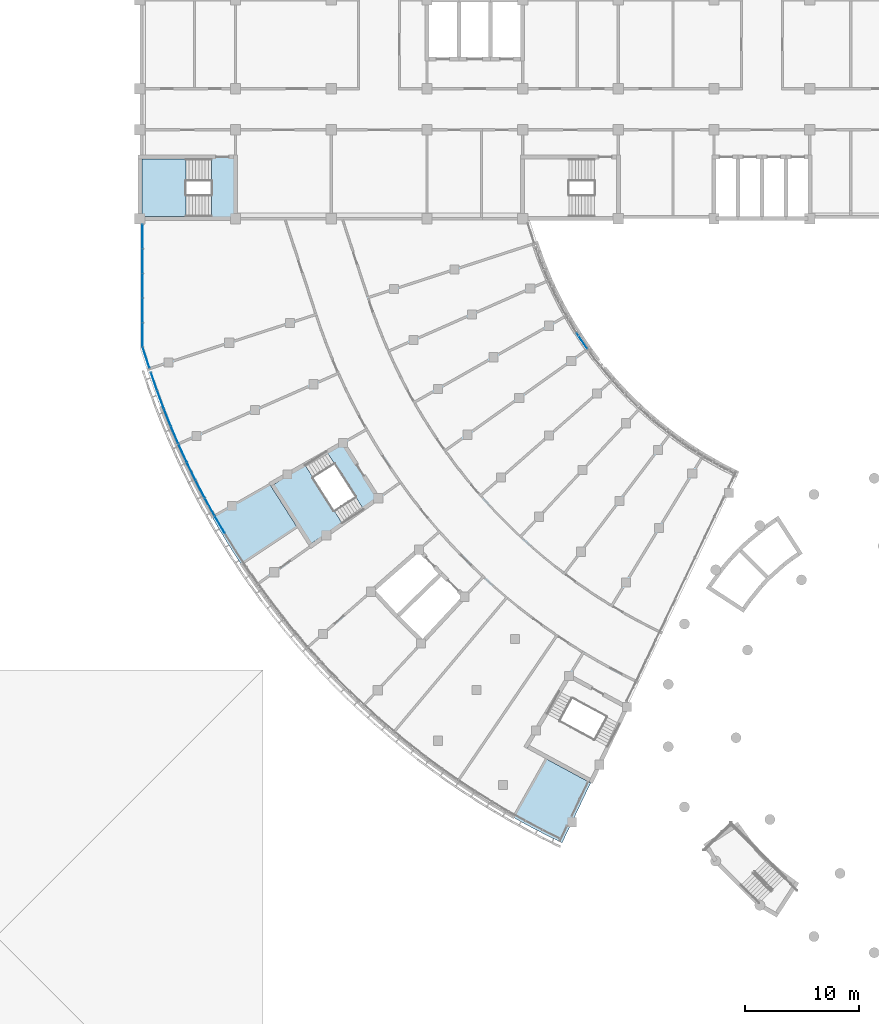
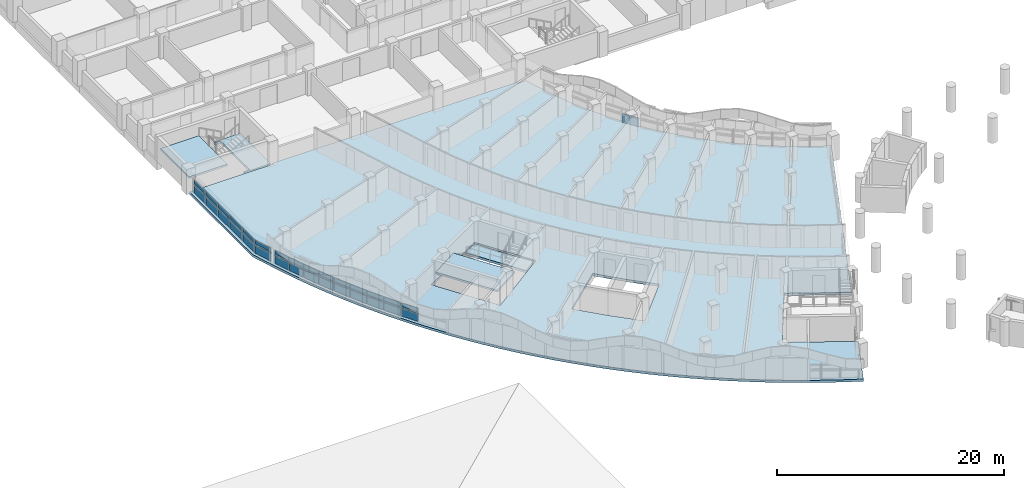
# One storey, part 30 of 89: 47 plates, 5 slabs, 8 elements without a shape of their own.
"""IFC4 building model written with IfcOpenShell, lengths in metres."""

from ifc_helpers import new_model, si_unit, direction, frame, origin, origin_2d, place, context, subcontext, project, spatial, polyline, rectangle, outline, extrude, material, layer, layer_set, type_object, element, aggregate, save


model = new_model("IFC4")

# Units and contexts
model_context = context("Model", 3, precision=1e-05, world=origin(), true_north=direction((0.0, 1.0)))
body_context = subcontext(model_context, "Body", "Model", "MODEL_VIEW")
ifc_project = project(units=[si_unit("LENGTHUNIT", "METRE"), si_unit("AREAUNIT", "SQUARE_METRE"), si_unit("VOLUMEUNIT", "CUBIC_METRE"), si_unit("PLANEANGLEUNIT", "RADIAN"), si_unit("MASSUNIT", "GRAM", prefix="KILO")], contexts=[model_context])

# Site, building, storey
site_placement = place(None, origin())
site = spatial("IfcSite", under=ifc_project, at=site_placement, CompositionType="ELEMENT")
building_placement = place(site_placement, origin())
building = spatial("IfcBuilding", under=site, at=building_placement, Name="Bougainvillea Quay General Hospital", CompositionType="ELEMENT")
storey_placement = place(building_placement, frame((0.0, 0.0, 9.89990234375)))
storey = spatial("IfcBuildingStorey", under=building, at=storey_placement, Name="L01M", CompositionType="ELEMENT", Elevation=9.89990234375)

# Curtain wall, plates
ifc_material_1 = material(Name="Aluminium curtain wall system, powder-coated glazed", Category="aluminium")
curtain_wall_type_1 = type_object("IfcCurtainWallType", Name="Unitised curtain wall CW-2167", PredefinedType="NOTDEFINED", material=ifc_material_1)
curtain_wall_1_placement = place(storey_placement, origin())
curtain_wall_1 = element("IfcCurtainWall", 1, at=curtain_wall_1_placement, inside=storey, type_object=curtain_wall_type_1, Name="CW-AE 00", PredefinedType="NOTDEFINED")
ifc_material_2 = material(Name="Insulated aluminium spandrel panel, white", Category="aluminium")
ifc_layer_1 = layer(ifc_material_2, 0.028076171875)
ifc_layer_set_1 = layer_set([ifc_layer_1], Name="Insulated aluminium spandrel panel, white")
plate_type_1 = type_object("IfcPlateType", Name="Insulated spandrel panel white 28", PredefinedType="CURTAIN_PANEL", material=ifc_layer_set_1)
plate_1_placement = place(storey_placement, frame((42.25, 116.031494140625, 0.06005859375), z_axis=(0.0, 0.0, 1.0), x_axis=(0.0, -1.0, 0.0)))
plate_1 = element("IfcPlate", 2, at=plate_1_placement, type_object=plate_type_1, Name="CW-AE spandrel panel 1.1", PredefinedType="CURTAIN_PANEL", context=body_context, shape_type="SweptSolid", body=[
    extrude(rectangle(XDim=2.076904296875, YDim=0.028076171875, at=origin_2d()), origin(), (0.0, 0.0, 1.0), 0.81005859375),
])
plate_2_placement = place(storey_placement, frame((42.25, 116.031494140625, 1.080078125), z_axis=(0.0, 0.0, 1.0), x_axis=(0.0, -1.0, 0.0)))
plate_2 = element("IfcPlate", 3, at=plate_2_placement, type_object=plate_type_1, Name="CW-AE spandrel panel 1.3", PredefinedType="CURTAIN_PANEL", context=body_context, shape_type="SweptSolid", body=[
    extrude(rectangle(XDim=2.076904296875, YDim=0.028076171875, at=origin_2d()), origin(), (0.0, 0.0, 1.0), 0.409912109375),
])
plate_3_placement = place(storey_placement, frame((42.25, 113.8798828125, 0.06005859375), z_axis=(0.0, 0.0, 1.0), x_axis=(0.0, -1.0, 0.0)))
plate_3 = element("IfcPlate", 4, at=plate_3_placement, type_object=plate_type_1, Name="CW-AE spandrel panel 2.1", PredefinedType="CURTAIN_PANEL", context=body_context, shape_type="SweptSolid", body=[
    extrude(rectangle(XDim=2.106689453125, YDim=0.028076171875, at=origin_2d()), origin(), (0.0, 0.0, 1.0), 0.81005859375),
])
plate_4_placement = place(storey_placement, frame((42.25, 113.8798828125, 1.080078125), z_axis=(0.0, 0.0, 1.0), x_axis=(0.0, -1.0, 0.0)))
plate_4 = element("IfcPlate", 5, at=plate_4_placement, type_object=plate_type_1, Name="CW-AE spandrel panel 2.3", PredefinedType="CURTAIN_PANEL", context=body_context, shape_type="SweptSolid", body=[
    extrude(rectangle(XDim=2.106689453125, YDim=0.028076171875, at=origin_2d()), origin(), (0.0, 0.0, 1.0), 0.409912109375),
])
plate_5_placement = place(storey_placement, frame((42.25, 111.712890625, 0.06005859375), z_axis=(0.0, 0.0, 1.0), x_axis=(0.0, -1.0, 0.0)))
plate_5 = element("IfcPlate", 6, at=plate_5_placement, type_object=plate_type_1, Name="CW-AE spandrel panel 3.1", PredefinedType="CURTAIN_PANEL", context=body_context, shape_type="SweptSolid", body=[
    extrude(rectangle(XDim=2.106689453125, YDim=0.028076171875, at=origin_2d()), origin(), (0.0, 0.0, 1.0), 0.81005859375),
])
plate_6_placement = place(storey_placement, frame((42.25, 111.712890625, 1.080078125), z_axis=(0.0, 0.0, 1.0), x_axis=(0.0, -1.0, 0.0)))
plate_6 = element("IfcPlate", 7, at=plate_6_placement, type_object=plate_type_1, Name="CW-AE spandrel panel 3.3", PredefinedType="CURTAIN_PANEL", context=body_context, shape_type="SweptSolid", body=[
    extrude(rectangle(XDim=2.106689453125, YDim=0.028076171875, at=origin_2d()), origin(), (0.0, 0.0, 1.0), 0.409912109375),
])
plate_7_placement = place(storey_placement, frame((42.25, 109.546142578125, 0.06005859375), z_axis=(0.0, 0.0, 1.0), x_axis=(0.0, -1.0, 0.0)))
plate_7 = element("IfcPlate", 8, at=plate_7_placement, type_object=plate_type_1, Name="CW-AE spandrel panel 4.1", PredefinedType="CURTAIN_PANEL", context=body_context, shape_type="SweptSolid", body=[
    extrude(rectangle(XDim=2.106689453125, YDim=0.028076171875, at=origin_2d()), origin(), (0.0, 0.0, 1.0), 0.81005859375),
])
plate_8_placement = place(storey_placement, frame((42.25, 109.546142578125, 1.080078125), z_axis=(0.0, 0.0, 1.0), x_axis=(0.0, -1.0, 0.0)))
plate_8 = element("IfcPlate", 9, at=plate_8_placement, type_object=plate_type_1, Name="CW-AE spandrel panel 4.3", PredefinedType="CURTAIN_PANEL", context=body_context, shape_type="SweptSolid", body=[
    extrude(rectangle(XDim=2.106689453125, YDim=0.028076171875, at=origin_2d()), origin(), (0.0, 0.0, 1.0), 0.409912109375),
])
plate_9_placement = place(storey_placement, frame((42.25, 107.394287109375, 0.06005859375), z_axis=(0.0, 0.0, 1.0), x_axis=(0.0, -1.0, 0.0)))
plate_9 = element("IfcPlate", 10, at=plate_9_placement, type_object=plate_type_1, Name="CW-AE spandrel panel 5.1", PredefinedType="CURTAIN_PANEL", context=body_context, shape_type="SweptSolid", body=[
    extrude(rectangle(XDim=2.076904296875, YDim=0.028076171875, at=origin_2d()), origin(), (0.0, 0.0, 1.0), 0.81005859375),
])
plate_10_placement = place(storey_placement, frame((42.25, 107.394287109375, 1.080078125), z_axis=(0.0, 0.0, 1.0), x_axis=(0.0, -1.0, 0.0)))
plate_10 = element("IfcPlate", 11, at=plate_10_placement, type_object=plate_type_1, Name="CW-AE spandrel panel 5.3", PredefinedType="CURTAIN_PANEL", context=body_context, shape_type="SweptSolid", body=[
    extrude(rectangle(XDim=2.076904296875, YDim=0.028076171875, at=origin_2d()), origin(), (0.0, 0.0, 1.0), 0.409912109375),
])

curtain_wall_type_2 = type_object("IfcCurtainWallType", Name="Unitised curtain wall CW-2027", PredefinedType="NOTDEFINED", material=ifc_material_1)
curtain_wall_2_placement = place(storey_placement, origin())
curtain_wall_2 = element("IfcCurtainWall", 12, at=curtain_wall_2_placement, inside=storey, type_object=curtain_wall_type_2, Name="CW-AE 00", PredefinedType="NOTDEFINED")
plate_11_placement = place(storey_placement, frame((42.55078125, 105.40966796875, 0.06005859375), z_axis=(0.0, 0.0, 1.0), x_axis=(0.30896330961, -0.951073957858, 0.0)))
plate_11 = element("IfcPlate", 13, at=plate_11_placement, type_object=plate_type_1, Name="CW-AE spandrel panel 1.1", PredefinedType="CURTAIN_PANEL", context=body_context, shape_type="SweptSolid", body=[
    extrude(rectangle(XDim=1.90625, YDim=0.028076171875, at=origin_2d()), origin(), (0.0, 0.0, 1.0), 0.81005859375),
])
plate_12_placement = place(storey_placement, frame((42.55078125, 105.40966796875, 1.080078125), z_axis=(0.0, 0.0, 1.0), x_axis=(0.30896330961, -0.951073957858, 0.0)))
plate_12 = element("IfcPlate", 14, at=plate_12_placement, type_object=plate_type_1, Name="CW-AE spandrel panel 1.3", PredefinedType="CURTAIN_PANEL", context=body_context, shape_type="SweptSolid", body=[
    extrude(rectangle(XDim=1.90625, YDim=0.028076171875, at=origin_2d()), origin(), (0.0, 0.0, 1.0), 0.409912109375),
])

curtain_wall_type_3 = type_object("IfcCurtainWallType", Name="Unitised curtain wall CW-2100", PredefinedType="NOTDEFINED", material=ifc_material_1)
curtain_wall_3_placement = place(storey_placement, origin())
curtain_wall_3 = element("IfcCurtainWall", 15, at=curtain_wall_3_placement, inside=storey, type_object=curtain_wall_type_3, Name="CW-W06 a01b5", PredefinedType="NOTDEFINED")
plate_13_placement = place(storey_placement, frame((49.024169921875, 90.741943359375, 0.06005859375), z_axis=(0.0, 0.0, 1.0), x_axis=(-0.505348661129, 0.862915251166, 0.0)))
plate_13 = element("IfcPlate", 16, at=plate_13_placement, type_object=plate_type_1, Name="CW-W06 spandrel panel 4.1", PredefinedType="CURTAIN_PANEL", context=body_context, shape_type="SweptSolid", body=[
    extrude(rectangle(XDim=1.6787109375, YDim=0.028076171875, at=origin_2d()), origin(), (0.0, 0.0, 1.0), 0.81005859375),
])
plate_14_placement = place(storey_placement, frame((49.024169921875, 90.741943359375, 1.080078125), z_axis=(0.0, 0.0, 1.0), x_axis=(-0.505348661129, 0.862915251166, 0.0)))
plate_14 = element("IfcPlate", 17, at=plate_14_placement, type_object=plate_type_1, Name="CW-W06 spandrel panel 4.3", PredefinedType="CURTAIN_PANEL", context=body_context, shape_type="SweptSolid", body=[
    extrude(rectangle(XDim=1.6787109375, YDim=0.028076171875, at=origin_2d()), origin(), (0.0, 0.0, 1.0), 0.409912109375),
])

curtain_wall_4_placement = place(storey_placement, origin())
curtain_wall_4 = element("IfcCurtainWall", 18, at=curtain_wall_4_placement, inside=storey, type_object=curtain_wall_type_3, Name="CW-W07 a01b6", PredefinedType="NOTDEFINED")
plate_15_placement = place(storey_placement, frame((48.135009765625, 92.305419921875, 0.06005859375), z_axis=(0.0, 0.0, 1.0), x_axis=(-0.483305302697, 0.875451874397, 0.0)))
plate_15 = element("IfcPlate", 19, at=plate_15_placement, type_object=plate_type_1, Name="CW-W07 spandrel panel 1.1", PredefinedType="CURTAIN_PANEL", context=body_context, shape_type="SweptSolid", body=[
    extrude(rectangle(XDim=1.6787109375, YDim=0.028076171875, at=origin_2d()), origin(), (0.0, 0.0, 1.0), 0.81005859375),
])
plate_16_placement = place(storey_placement, frame((48.135009765625, 92.305419921875, 1.080078125), z_axis=(0.0, 0.0, 1.0), x_axis=(-0.483305302697, 0.875451874397, 0.0)))
plate_16 = element("IfcPlate", 20, at=plate_16_placement, type_object=plate_type_1, Name="CW-W07 spandrel panel 1.3", PredefinedType="CURTAIN_PANEL", context=body_context, shape_type="SweptSolid", body=[
    extrude(rectangle(XDim=1.6787109375, YDim=0.028076171875, at=origin_2d()), origin(), (0.0, 0.0, 1.0), 0.409912109375),
])
plate_17_placement = place(storey_placement, frame((47.30712890625, 93.851318359375, 0.06005859375), z_axis=(0.0, 0.0, 1.0), x_axis=(-0.460951141948, 0.887425515036, 0.0)))
plate_17 = element("IfcPlate", 21, at=plate_17_placement, type_object=plate_type_1, Name="CW-W07 spandrel panel 2.1", PredefinedType="CURTAIN_PANEL", context=body_context, shape_type="SweptSolid", body=[
    extrude(rectangle(XDim=1.708740234375, YDim=0.028076171875, at=origin_2d()), origin(), (0.0, 0.0, 1.0), 0.81005859375),
])
plate_18_placement = place(storey_placement, frame((47.30712890625, 93.851318359375, 1.080078125), z_axis=(0.0, 0.0, 1.0), x_axis=(-0.460951141948, 0.887425515036, 0.0)))
plate_18 = element("IfcPlate", 22, at=plate_18_placement, type_object=plate_type_1, Name="CW-W07 spandrel panel 2.3", PredefinedType="CURTAIN_PANEL", context=body_context, shape_type="SweptSolid", body=[
    extrude(rectangle(XDim=1.708740234375, YDim=0.028076171875, at=origin_2d()), origin(), (0.0, 0.0, 1.0), 0.409912109375),
])
plate_19_placement = place(storey_placement, frame((46.51171875, 95.430908203125, 0.06005859375), z_axis=(0.0, 0.0, 1.0), x_axis=(-0.438300554318, 0.898828473116, 0.0)))
plate_19 = element("IfcPlate", 23, at=plate_19_placement, type_object=plate_type_1, Name="CW-W07 spandrel panel 3.1", PredefinedType="CURTAIN_PANEL", context=body_context, shape_type="SweptSolid", body=[
    extrude(rectangle(XDim=1.708740234375, YDim=0.028076171875, at=origin_2d()), origin(), (0.0, 0.0, 1.0), 0.81005859375),
])
plate_20_placement = place(storey_placement, frame((46.51171875, 95.430908203125, 1.080078125), z_axis=(0.0, 0.0, 1.0), x_axis=(-0.438300554318, 0.898828473116, 0.0)))
plate_20 = element("IfcPlate", 24, at=plate_20_placement, type_object=plate_type_1, Name="CW-W07 spandrel panel 3.3", PredefinedType="CURTAIN_PANEL", context=body_context, shape_type="SweptSolid", body=[
    extrude(rectangle(XDim=1.708740234375, YDim=0.028076171875, at=origin_2d()), origin(), (0.0, 0.0, 1.0), 0.409912109375),
])
plate_21_placement = place(storey_placement, frame((45.762939453125, 97.016845703125, 0.06005859375), z_axis=(0.0, 0.0, 1.0), x_axis=(-0.415368105869, 0.909653415663, 0.0)))
plate_21 = element("IfcPlate", 25, at=plate_21_placement, type_object=plate_type_1, Name="CW-W07 spandrel panel 4.1", PredefinedType="CURTAIN_PANEL", context=body_context, shape_type="SweptSolid", body=[
    extrude(rectangle(XDim=1.6787109375, YDim=0.028076171875, at=origin_2d()), origin(), (0.0, 0.0, 1.0), 0.81005859375),
])
plate_22_placement = place(storey_placement, frame((45.762939453125, 97.016845703125, 1.080078125), z_axis=(0.0, 0.0, 1.0), x_axis=(-0.415368105869, 0.909653415663, 0.0)))
plate_22 = element("IfcPlate", 26, at=plate_22_placement, type_object=plate_type_1, Name="CW-W07 spandrel panel 4.3", PredefinedType="CURTAIN_PANEL", context=body_context, shape_type="SweptSolid", body=[
    extrude(rectangle(XDim=1.6787109375, YDim=0.028076171875, at=origin_2d()), origin(), (0.0, 0.0, 1.0), 0.409912109375),
])

curtain_wall_5_placement = place(storey_placement, origin())
curtain_wall_5 = element("IfcCurtainWall", 27, at=curtain_wall_5_placement, inside=storey, type_object=curtain_wall_type_3, Name="CW-W08 a01b7", PredefinedType="NOTDEFINED")
plate_23_placement = place(storey_placement, frame((45.052734375, 98.623779296875, 0.06005859375), z_axis=(0.0, 0.0, 1.0), x_axis=(-0.392718634519, 0.919658672607, 0.0)))
plate_23 = element("IfcPlate", 28, at=plate_23_placement, type_object=plate_type_1, Name="CW-W08 spandrel panel 1.1", PredefinedType="CURTAIN_PANEL", context=body_context, shape_type="SweptSolid", body=[
    extrude(rectangle(XDim=1.595458984375, YDim=0.028076171875, at=origin_2d()), origin(), (0.0, 0.0, 1.0), 0.81005859375),
])
plate_24_placement = place(storey_placement, frame((45.052734375, 98.623779296875, 1.080078125), z_axis=(0.0, 0.0, 1.0), x_axis=(-0.392718634519, 0.919658672607, 0.0)))
plate_24 = element("IfcPlate", 29, at=plate_24_placement, type_object=plate_type_1, Name="CW-W08 spandrel panel 1.3", PredefinedType="CURTAIN_PANEL", context=body_context, shape_type="SweptSolid", body=[
    extrude(rectangle(XDim=1.595458984375, YDim=0.028076171875, at=origin_2d()), origin(), (0.0, 0.0, 1.0), 0.409912109375),
])
plate_25_placement = place(storey_placement, frame((44.41552734375, 100.167724609375, 0.06005859375), z_axis=(0.0, 0.0, 1.0), x_axis=(-0.370383986757, 0.928878733934, 0.0)))
plate_25 = element("IfcPlate", 30, at=plate_25_placement, type_object=plate_type_1, Name="CW-W08 spandrel panel 2.1", PredefinedType="CURTAIN_PANEL", context=body_context, shape_type="SweptSolid", body=[
    extrude(rectangle(XDim=1.625244140625, YDim=0.028076171875, at=origin_2d()), origin(), (0.0, 0.0, 1.0), 0.81005859375),
])
plate_26_placement = place(storey_placement, frame((44.41552734375, 100.167724609375, 1.080078125), z_axis=(0.0, 0.0, 1.0), x_axis=(-0.370383986757, 0.928878733934, 0.0)))
plate_26 = element("IfcPlate", 31, at=plate_26_placement, type_object=plate_type_1, Name="CW-W08 spandrel panel 2.3", PredefinedType="CURTAIN_PANEL", context=body_context, shape_type="SweptSolid", body=[
    extrude(rectangle(XDim=1.625244140625, YDim=0.028076171875, at=origin_2d()), origin(), (0.0, 0.0, 1.0), 0.409912109375),
])
plate_27_placement = place(storey_placement, frame((43.810302734375, 101.740478515625, 0.06005859375), z_axis=(0.0, 0.0, 1.0), x_axis=(-0.347833091778, 0.937556473107, 0.0)))
plate_27 = element("IfcPlate", 32, at=plate_27_placement, type_object=plate_type_1, Name="CW-W08 spandrel panel 3.1", PredefinedType="CURTAIN_PANEL", context=body_context, shape_type="SweptSolid", body=[
    extrude(rectangle(XDim=1.625244140625, YDim=0.028076171875, at=origin_2d()), origin(), (0.0, 0.0, 1.0), 0.81005859375),
])
plate_28_placement = place(storey_placement, frame((43.810302734375, 101.740478515625, 1.080078125), z_axis=(0.0, 0.0, 1.0), x_axis=(-0.347833091778, 0.937556473107, 0.0)))
plate_28 = element("IfcPlate", 33, at=plate_28_placement, type_object=plate_type_1, Name="CW-W08 spandrel panel 3.3", PredefinedType="CURTAIN_PANEL", context=body_context, shape_type="SweptSolid", body=[
    extrude(rectangle(XDim=1.625244140625, YDim=0.028076171875, at=origin_2d()), origin(), (0.0, 0.0, 1.0), 0.409912109375),
])
plate_29_placement = place(storey_placement, frame((43.248046875, 103.313232421875, 0.06005859375), z_axis=(0.0, 0.0, 1.0), x_axis=(-0.325079115849, 0.945686823657, 0.0)))
plate_29 = element("IfcPlate", 34, at=plate_29_placement, type_object=plate_type_1, Name="CW-W08 spandrel panel 4.1", PredefinedType="CURTAIN_PANEL", context=body_context, shape_type="SweptSolid", body=[
    extrude(rectangle(XDim=1.595458984375, YDim=0.028076171875, at=origin_2d()), origin(), (0.0, 0.0, 1.0), 0.81005859375),
])
plate_30_placement = place(storey_placement, frame((43.248046875, 103.313232421875, 1.080078125), z_axis=(0.0, 0.0, 1.0), x_axis=(-0.325079115849, 0.945686823657, 0.0)))
plate_30 = element("IfcPlate", 35, at=plate_30_placement, type_object=plate_type_1, Name="CW-W08 spandrel panel 4.3", PredefinedType="CURTAIN_PANEL", context=body_context, shape_type="SweptSolid", body=[
    extrude(rectangle(XDim=1.595458984375, YDim=0.028076171875, at=origin_2d()), origin(), (0.0, 0.0, 1.0), 0.409912109375),
])

# Curtain wall, plate
curtain_wall_6_placement = place(storey_placement, origin())
curtain_wall_6 = element("IfcCurtainWall", 36, at=curtain_wall_6_placement, inside=storey, type_object=curtain_wall_type_3, Name="CW-W06 a03b5", PredefinedType="NOTDEFINED")
plate_31_placement = place(storey_placement, frame((80.802001953125, 106.872802734375, 0.06005859375), z_axis=(0.0, 0.0, 1.0), x_axis=(-0.55900478642, 0.82916442806, 0.0)))
plate_31 = element("IfcPlate", 37, at=plate_31_placement, type_object=plate_type_1, Name="CW-W06 spandrel panel 1.1", PredefinedType="CURTAIN_PANEL", context=body_context, shape_type="SweptSolid", body=[
    extrude(rectangle(XDim=1.64697265625, YDim=0.028076171875, at=origin_2d()), origin(), (0.0, 0.0, 1.0), 0.81005859375),
])

# Plate
ifc_material_3 = material(Name="Low-e laminated glass, solar control", Category="glass")
ifc_layer_2 = layer(ifc_material_3, 0.028076171875)
ifc_layer_set_2 = layer_set([ifc_layer_2], Name="Low-e laminated glass, solar control")
plate_type_2 = type_object("IfcPlateType", Name="Low-e laminated vision glass 28", PredefinedType="CURTAIN_PANEL", material=ifc_layer_set_2)
plate_32_placement = place(storey_placement, frame((42.25, 116.031494140625, 0.93017578125), z_axis=(0.0, 0.0, 1.0), x_axis=(0.0, -1.0, 0.0)))
plate_32 = element("IfcPlate", 38, at=plate_32_placement, type_object=plate_type_2, Name="CW-AE vision glass panel 1.2", PredefinedType="CURTAIN_PANEL", context=body_context, shape_type="SweptSolid", body=[
    extrude(rectangle(XDim=2.076904296875, YDim=0.028076171875, at=origin_2d()), origin(), (0.0, 0.0, 1.0), 0.090087890625),
])

plate_33_placement = place(storey_placement, frame((42.25, 113.8798828125, 0.93017578125), z_axis=(0.0, 0.0, 1.0), x_axis=(0.0, -1.0, 0.0)))
plate_33 = element("IfcPlate", 39, at=plate_33_placement, type_object=plate_type_2, Name="CW-AE vision glass panel 2.2", PredefinedType="CURTAIN_PANEL", context=body_context, shape_type="SweptSolid", body=[
    extrude(rectangle(XDim=2.106689453125, YDim=0.028076171875, at=origin_2d()), origin(), (0.0, 0.0, 1.0), 0.090087890625),
])

plate_34_placement = place(storey_placement, frame((42.25, 111.712890625, 0.93017578125), z_axis=(0.0, 0.0, 1.0), x_axis=(0.0, -1.0, 0.0)))
plate_34 = element("IfcPlate", 40, at=plate_34_placement, type_object=plate_type_2, Name="CW-AE vision glass panel 3.2", PredefinedType="CURTAIN_PANEL", context=body_context, shape_type="SweptSolid", body=[
    extrude(rectangle(XDim=2.106689453125, YDim=0.028076171875, at=origin_2d()), origin(), (0.0, 0.0, 1.0), 0.090087890625),
])

plate_35_placement = place(storey_placement, frame((42.25, 109.546142578125, 0.93017578125), z_axis=(0.0, 0.0, 1.0), x_axis=(0.0, -1.0, 0.0)))
plate_35 = element("IfcPlate", 41, at=plate_35_placement, type_object=plate_type_2, Name="CW-AE vision glass panel 4.2", PredefinedType="CURTAIN_PANEL", context=body_context, shape_type="SweptSolid", body=[
    extrude(rectangle(XDim=2.106689453125, YDim=0.028076171875, at=origin_2d()), origin(), (0.0, 0.0, 1.0), 0.090087890625),
])

plate_36_placement = place(storey_placement, frame((42.25, 107.394287109375, 0.93017578125), z_axis=(0.0, 0.0, 1.0), x_axis=(0.0, -1.0, 0.0)))
plate_36 = element("IfcPlate", 42, at=plate_36_placement, type_object=plate_type_2, Name="CW-AE vision glass panel 5.2", PredefinedType="CURTAIN_PANEL", context=body_context, shape_type="SweptSolid", body=[
    extrude(rectangle(XDim=2.076904296875, YDim=0.028076171875, at=origin_2d()), origin(), (0.0, 0.0, 1.0), 0.090087890625),
])

aggregate(curtain_wall_1, [plate_1, plate_32, plate_2, plate_3, plate_33, plate_4, plate_5, plate_34, plate_6, plate_7, plate_35, plate_8, plate_9, plate_36, plate_10])

plate_37_placement = place(storey_placement, frame((42.55078125, 105.40966796875, 0.93017578125), z_axis=(0.0, 0.0, 1.0), x_axis=(0.30896330961, -0.951073957858, 0.0)))
plate_37 = element("IfcPlate", 43, at=plate_37_placement, type_object=plate_type_2, Name="CW-AE vision glass panel 1.2", PredefinedType="CURTAIN_PANEL", context=body_context, shape_type="SweptSolid", body=[
    extrude(rectangle(XDim=1.90625, YDim=0.028076171875, at=origin_2d()), origin(), (0.0, 0.0, 1.0), 0.090087890625),
])

aggregate(curtain_wall_2, [plate_11, plate_37, plate_12])

plate_38_placement = place(storey_placement, frame((49.024169921875, 90.741943359375, 0.93017578125), z_axis=(0.0, 0.0, 1.0), x_axis=(-0.505348661129, 0.862915251166, 0.0)))
plate_38 = element("IfcPlate", 44, at=plate_38_placement, type_object=plate_type_2, Name="CW-W06 vision glass panel 4.2", PredefinedType="CURTAIN_PANEL", context=body_context, shape_type="SweptSolid", body=[
    extrude(rectangle(XDim=1.6787109375, YDim=0.028076171875, at=origin_2d()), origin(), (0.0, 0.0, 1.0), 0.090087890625),
])

aggregate(curtain_wall_3, [plate_13, plate_38, plate_14])

plate_39_placement = place(storey_placement, frame((48.135009765625, 92.305419921875, 0.93017578125), z_axis=(0.0, 0.0, 1.0), x_axis=(-0.483305302697, 0.875451874397, 0.0)))
plate_39 = element("IfcPlate", 45, at=plate_39_placement, type_object=plate_type_2, Name="CW-W07 vision glass panel 1.2", PredefinedType="CURTAIN_PANEL", context=body_context, shape_type="SweptSolid", body=[
    extrude(rectangle(XDim=1.6787109375, YDim=0.028076171875, at=origin_2d()), origin(), (0.0, 0.0, 1.0), 0.090087890625),
])

plate_40_placement = place(storey_placement, frame((47.30712890625, 93.851318359375, 0.93017578125), z_axis=(0.0, 0.0, 1.0), x_axis=(-0.460951141948, 0.887425515036, 0.0)))
plate_40 = element("IfcPlate", 46, at=plate_40_placement, type_object=plate_type_2, Name="CW-W07 vision glass panel 2.2", PredefinedType="CURTAIN_PANEL", context=body_context, shape_type="SweptSolid", body=[
    extrude(rectangle(XDim=1.708740234375, YDim=0.028076171875, at=origin_2d()), origin(), (0.0, 0.0, 1.0), 0.090087890625),
])

plate_41_placement = place(storey_placement, frame((46.51171875, 95.430908203125, 0.93017578125), z_axis=(0.0, 0.0, 1.0), x_axis=(-0.438300554318, 0.898828473116, 0.0)))
plate_41 = element("IfcPlate", 47, at=plate_41_placement, type_object=plate_type_2, Name="CW-W07 vision glass panel 3.2", PredefinedType="CURTAIN_PANEL", context=body_context, shape_type="SweptSolid", body=[
    extrude(rectangle(XDim=1.708740234375, YDim=0.028076171875, at=origin_2d()), origin(), (0.0, 0.0, 1.0), 0.090087890625),
])

plate_42_placement = place(storey_placement, frame((45.762939453125, 97.016845703125, 0.93017578125), z_axis=(0.0, 0.0, 1.0), x_axis=(-0.415368105869, 0.909653415663, 0.0)))
plate_42 = element("IfcPlate", 48, at=plate_42_placement, type_object=plate_type_2, Name="CW-W07 vision glass panel 4.2", PredefinedType="CURTAIN_PANEL", context=body_context, shape_type="SweptSolid", body=[
    extrude(rectangle(XDim=1.6787109375, YDim=0.028076171875, at=origin_2d()), origin(), (0.0, 0.0, 1.0), 0.090087890625),
])

aggregate(curtain_wall_4, [plate_15, plate_39, plate_16, plate_17, plate_40, plate_18, plate_19, plate_41, plate_20, plate_21, plate_42, plate_22])

plate_43_placement = place(storey_placement, frame((45.052734375, 98.623779296875, 0.93017578125), z_axis=(0.0, 0.0, 1.0), x_axis=(-0.392718634519, 0.919658672607, 0.0)))
plate_43 = element("IfcPlate", 49, at=plate_43_placement, type_object=plate_type_2, Name="CW-W08 vision glass panel 1.2", PredefinedType="CURTAIN_PANEL", context=body_context, shape_type="SweptSolid", body=[
    extrude(rectangle(XDim=1.595458984375, YDim=0.028076171875, at=origin_2d()), origin(), (0.0, 0.0, 1.0), 0.090087890625),
])

plate_44_placement = place(storey_placement, frame((44.41552734375, 100.167724609375, 0.93017578125), z_axis=(0.0, 0.0, 1.0), x_axis=(-0.370383986757, 0.928878733934, 0.0)))
plate_44 = element("IfcPlate", 50, at=plate_44_placement, type_object=plate_type_2, Name="CW-W08 vision glass panel 2.2", PredefinedType="CURTAIN_PANEL", context=body_context, shape_type="SweptSolid", body=[
    extrude(rectangle(XDim=1.625244140625, YDim=0.028076171875, at=origin_2d()), origin(), (0.0, 0.0, 1.0), 0.090087890625),
])

plate_45_placement = place(storey_placement, frame((43.810302734375, 101.740478515625, 0.93017578125), z_axis=(0.0, 0.0, 1.0), x_axis=(-0.347833091778, 0.937556473107, 0.0)))
plate_45 = element("IfcPlate", 51, at=plate_45_placement, type_object=plate_type_2, Name="CW-W08 vision glass panel 3.2", PredefinedType="CURTAIN_PANEL", context=body_context, shape_type="SweptSolid", body=[
    extrude(rectangle(XDim=1.625244140625, YDim=0.028076171875, at=origin_2d()), origin(), (0.0, 0.0, 1.0), 0.090087890625),
])

plate_46_placement = place(storey_placement, frame((43.248046875, 103.313232421875, 0.93017578125), z_axis=(0.0, 0.0, 1.0), x_axis=(-0.325079115849, 0.945686823657, 0.0)))
plate_46 = element("IfcPlate", 52, at=plate_46_placement, type_object=plate_type_2, Name="CW-W08 vision glass panel 4.2", PredefinedType="CURTAIN_PANEL", context=body_context, shape_type="SweptSolid", body=[
    extrude(rectangle(XDim=1.595458984375, YDim=0.028076171875, at=origin_2d()), origin(), (0.0, 0.0, 1.0), 0.090087890625),
])

aggregate(curtain_wall_5, [plate_23, plate_43, plate_24, plate_25, plate_44, plate_26, plate_27, plate_45, plate_28, plate_29, plate_46, plate_30])

plate_47_placement = place(storey_placement, frame((80.802001953125, 106.872802734375, 0.93017578125), z_axis=(0.0, 0.0, 1.0), x_axis=(-0.55900478642, 0.82916442806, 0.0)))
plate_47 = element("IfcPlate", 53, at=plate_47_placement, type_object=plate_type_2, Name="CW-W06 vision glass panel 1.2", PredefinedType="CURTAIN_PANEL", context=body_context, shape_type="SweptSolid", body=[
    extrude(rectangle(XDim=1.64697265625, YDim=0.028076171875, at=origin_2d()), origin(), (0.0, 0.0, 1.0), 0.090087890625),
])

aggregate(curtain_wall_6, [plate_31, plate_47])

# Slabs
ifc_material_4 = material(Name="Concrete C35", Category="concrete")
ifc_layer_3 = layer(ifc_material_4, 0.25)
ifc_layer_set_3 = layer_set([ifc_layer_3], Name="Concrete C35")
slab_type_1 = type_object("IfcSlabType", Name="RC FLAT SLAB 250 C35", PredefinedType="FLOOR", material=ifc_layer_set_3)
slab_1_placement = place(storey_placement, frame((0.0, 0.0, -0.25)))
element("IfcSlab", 54, at=slab_1_placement, inside=storey, type_object=slab_type_1, Name="Slab S5 L01M", PredefinedType="FLOOR", context=body_context, shape_type="SweptSolid", body=[
    extrude(outline(polyline([(59.507080078125, 76.698974609375), (60.73388671875, 75.491943359375), (61.990966796875, 74.31591796875), (63.27587890625, 73.169921875), (64.589111328125, 72.056884765625), (65.928955078125, 70.97607421875), (67.294921875, 69.928955078125), (68.68701171875, 68.9150390625), (70.10302734375, 67.93603515625), (71.5419921875, 66.991943359375), (73.0048828125, 66.083984375), (74.489013671875, 65.2119140625), (75.993896484375, 64.376953125), (77.52001953125, 63.5791015625), (79.06396484375, 62.819091796875), (81.572021484375, 68.076904296875), (81.413818359375, 68.15234375), (81.489990234375, 68.312255859375), (81.409912109375, 68.164306640625), (76.009765625, 71.084716796875), (76.089599609375, 71.23291015625), (75.99755859375, 71.08154296875), (75.698486328125, 71.263427734375), (79.62255859375, 77.71337890625), (79.916015625, 77.539794921875), (84.67431640625, 74.96630859375), (84.822265625, 74.890869140625), (94.56298828125, 95.31201171875), (93.81201171875, 95.680908203125), (93.072021484375, 96.069091796875), (92.340087890625, 96.47509765625), (91.618896484375, 96.89794921875), (90.908935546875, 97.339111328125), (90.2099609375, 97.798095703125), (89.52197265625, 98.27294921875), (88.845947265625, 98.764892578125), (88.18310546875, 99.27392578125), (87.531982421875, 99.799072265625), (86.89404296875, 100.340087890625), (86.27001953125, 100.89599609375), (85.658935546875, 101.468017578125), (85.06298828125, 102.053955078125), (84.48193359375, 102.655029296875), (83.9150390625, 103.27001953125), (83.364013671875, 103.89794921875), (82.827880859375, 104.5400390625), (82.30810546875, 105.195068359375), (81.804931640625, 105.863037109375), (81.318115234375, 106.54296875), (80.847900390625, 107.23388671875), (80.39501953125, 107.93701171875), (79.9599609375, 108.65087890625), (79.5419921875, 109.375), (79.14208984375, 110.10888671875), (78.760009765625, 110.85302734375), (78.39697265625, 111.60693359375), (78.052001953125, 112.367919921875), (77.72705078125, 113.137939453125), (77.419921875, 113.916015625), (77.132080078125, 114.700927734375), (76.864013671875, 115.492919921875), (76.23681640625, 117.425048828125), (75.77490234375, 117.425048828125), (75.425048828125, 117.425048828125), (75.425048828125, 117.60009765625), (50.574951171875, 117.60009765625), (50.574951171875, 117.425048828125), (50.22509765625, 117.425048828125), (42.175048828125, 117.425048828125), (42.0, 117.425048828125), (42.0, 106.2958984375), (42.6259765625, 104.368896484375), (43.177978515625, 102.738037109375), (43.77001953125, 101.1220703125), (44.402099609375, 99.52001953125), (45.072021484375, 97.93505859375), (45.781982421875, 96.365966796875), (46.530029296875, 94.81591796875), (47.31591796875, 93.283935546875), (48.138916015625, 91.77197265625), (48.9990234375, 90.281005859375), (49.89599609375, 88.81201171875), (50.827880859375, 87.364013671875), (51.7958984375, 85.94091796875), (52.798095703125, 84.541015625), (53.8349609375, 83.1669921875), (54.905029296875, 81.818115234375), (56.008056640625, 80.49609375), (57.14306640625, 79.201904296875), (58.30908203125, 77.93603515625), (59.507080078125, 76.698974609375)]), holes=[polyline([(62.553955078125, 84.85693359375), (62.4208984375, 84.739990234375), (62.18994140625, 85.003173828125), (66.51318359375, 88.794921875), (66.74267578125, 88.53662109375), (68.57568359375, 86.552978515625), (70.5048828125, 84.661865234375), (70.75634765625, 84.425048828125), (66.83984375, 80.214599609375), (66.583740234375, 80.453125), (66.704345703125, 80.582763671875), (66.58349609375, 80.459228515625), (64.456787109375, 82.540771484375), (64.575927734375, 82.6689453125), (64.4443359375, 82.5537109375), (62.427001953125, 84.73974609375), (62.553955078125, 84.85693359375)]), polyline([(53.5146484375, 94.119384765625), (53.656494140625, 94.2099609375), (53.50244140625, 94.122314453125), (53.329345703125, 94.426513671875), (59.8916015625, 98.15869140625), (60.06396484375, 97.8642578125), (62.9736328125, 93.304443359375), (63.16796875, 93.02392578125), (57.016845703125, 88.64599609375), (56.81396484375, 88.93115234375), (56.958251953125, 89.033935546875), (56.81640625, 88.943359375), (53.5146484375, 94.119384765625)])]), origin(), (0.0, 0.0, 1.0), 0.25),
])
slab_2_placement = place(storey_placement, frame((0.0, 0.0, -0.25)))
element("IfcSlab", 55, at=slab_2_placement, inside=storey, type_object=slab_type_1, Name="Stair landing floor ST-B1 L01M", PredefinedType="FLOOR", context=body_context, shape_type="SweptSolid", body=[
    extrude(outline(polyline([(47.702880859375, 122.8837890625), (47.71142578125, 122.942138671875), (47.725830078125, 122.99951171875), (50.39990234375, 123.0), (50.39990234375, 117.60009765625), (47.725830078125, 117.600341796875), (47.71142578125, 117.657958984375), (47.702880859375, 117.71630859375), (47.699951171875, 117.77392578125), (48.300537109375, 117.7744140625), (48.300537109375, 122.82568359375), (47.699951171875, 122.825927734375), (47.702880859375, 122.8837890625)])), origin(), (0.0, 0.0, 1.0), 0.25),
])
slab_3_placement = place(storey_placement, frame((0.0, 0.0, -0.25)))
element("IfcSlab", 56, at=slab_3_placement, inside=storey, type_object=slab_type_1, Name="Stair landing floor ST-W2 L01M", PredefinedType="FLOOR", context=body_context, shape_type="SweptSolid", body=[
    extrude(outline(polyline([(61.31298828125, 95.452880859375), (62.10302734375, 94.2490234375), (62.924072265625, 93.06494140625), (62.71435546875, 92.915771484375), (62.7412109375, 92.87353515625), (61.640869140625, 92.09033203125), (58.401123046875, 97.167236328125), (59.5751953125, 97.8349609375), (59.602294921875, 97.792724609375), (59.825927734375, 97.919921875), (60.553955078125, 96.677001953125), (61.31298828125, 95.452880859375)])), origin(), (0.0, 0.0, 1.0), 0.25),
])

# Stair, slab
stair_type_1 = type_object("IfcStairType", Name="Stair half-turn 1925 wide", PredefinedType="HALF_TURN_STAIR", material=ifc_material_4)
stair_1_placement = place(storey_placement, origin())
stair_1 = element("IfcStair", 57, at=stair_1_placement, inside=storey, type_object=stair_type_1, Name="L01M stair ST-B1", PredefinedType="HALF_TURN_STAIR")
ifc_layer_4 = layer(ifc_material_4, 0.199951171875)
ifc_layer_set_4 = layer_set([ifc_layer_4], Name="Concrete C35")
slab_type_2 = type_object("IfcSlabType", Name="Stair landing 200", PredefinedType="LANDING", material=ifc_layer_set_4)
slab_4_placement = place(storey_placement, frame((0.0, 0.0, 1.150146484375)))
slab_4 = element("IfcSlab", 58, at=slab_4_placement, type_object=slab_type_2, Name="ST-B1 landing 1", PredefinedType="LANDING", context=body_context, shape_type="SweptSolid", body=[
    extrude(outline(polyline([(46.06005859375, 122.824951171875), (42.175048828125, 122.824951171875), (42.175048828125, 117.77490234375), (46.06005859375, 117.77490234375), (46.06005859375, 122.824951171875)])), origin(), (0.0, 0.0, 1.0), 0.199951171875),
])
aggregate(stair_1, [slab_4])

stair_type_2 = type_object("IfcStairType", Name="Stair half-turn 1350 wide", PredefinedType="HALF_TURN_STAIR", material=ifc_material_4)
stair_2_placement = place(storey_placement, origin())
stair_2 = element("IfcStair", 59, at=stair_2_placement, inside=storey, type_object=stair_type_2, Name="L01M stair ST-W2", PredefinedType="HALF_TURN_STAIR")
slab_5_placement = place(storey_placement, frame((0.0, 0.0, 1.150146484375)))
slab_5 = element("IfcSlab", 60, at=slab_5_placement, type_object=slab_type_2, Name="ST-W2 landing 1", PredefinedType="LANDING", context=body_context, shape_type="SweptSolid", body=[
    extrude(outline(polyline([(56.485107421875, 96.00390625), (53.680419921875, 94.214111328125), (56.9736328125, 89.053466796875), (59.7783203125, 90.843017578125), (56.485107421875, 96.00390625)])), origin(), (0.0, 0.0, 1.0), 0.199951171875),
])
aggregate(stair_2, [slab_5])

save(model, "model.ifc")
